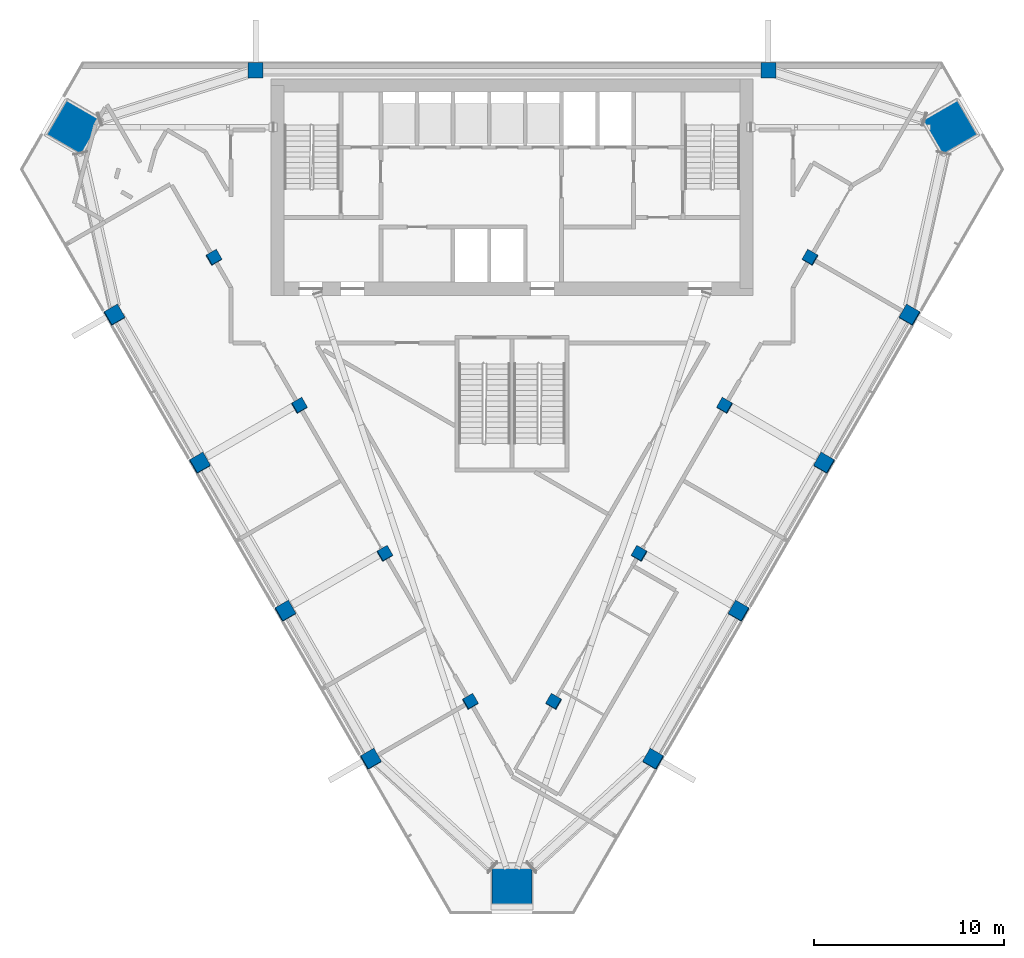
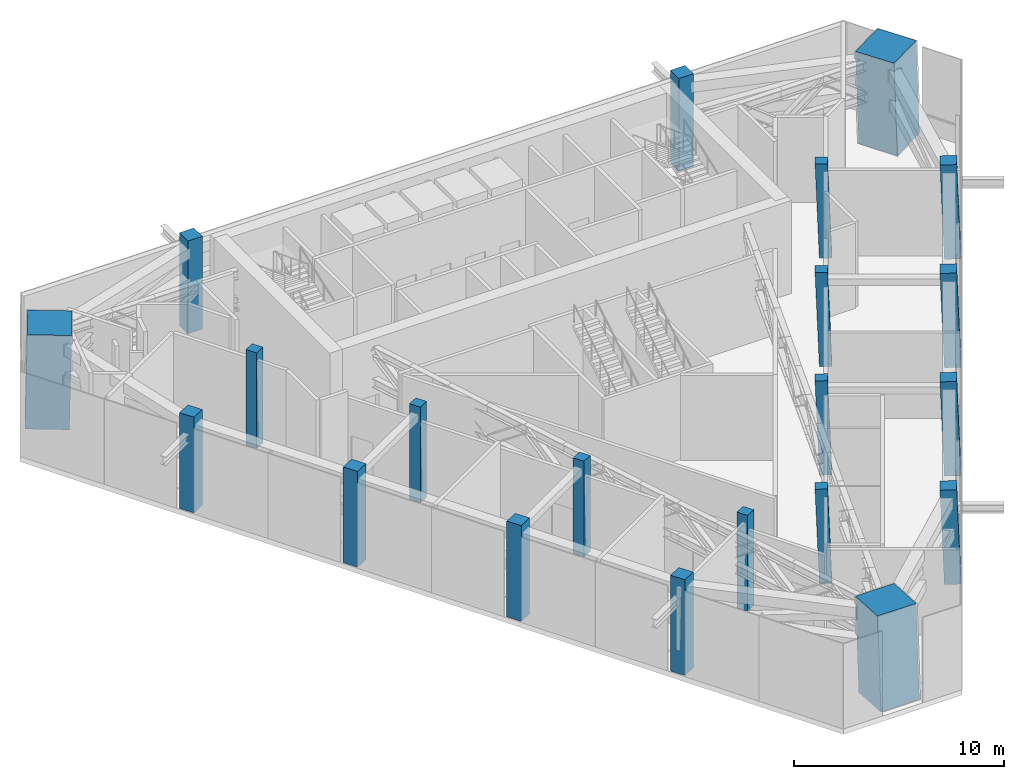
# One storey, part 1 of 14: 21 columns.
"""IFC4 building model written with IfcOpenShell, lengths in metres."""

from ifc_helpers import new_model, si_unit, direction, frame, origin, origin_2d, place, context, subcontext, project, spatial, rectangle, extrude, material, material_profile, profile_set, type_object, element, save


model = new_model("IFC4")

# Units and contexts
model_context = context("Model", 3, precision=1e-05, world=origin(), true_north=direction((0.0, 1.0)))
body_context = subcontext(model_context, "Body", "Model", "MODEL_VIEW")
ifc_project = project(units=[si_unit("LENGTHUNIT", "METRE"), si_unit("AREAUNIT", "SQUARE_METRE"), si_unit("VOLUMEUNIT", "CUBIC_METRE"), si_unit("PLANEANGLEUNIT", "RADIAN"), si_unit("MASSUNIT", "GRAM", prefix="KILO")], contexts=[model_context])

# Site, building, storey
site_placement = place(None, origin())
site = spatial("IfcSite", under=ifc_project, at=site_placement, CompositionType="ELEMENT")
building_placement = place(site_placement, origin())
building = spatial("IfcBuilding", under=site, at=building_placement, Name="Altiplano Prism Tower", CompositionType="ELEMENT")
storey_placement = place(building_placement, frame((0.0, 0.0, 189.0)))
storey = spatial("IfcBuildingStorey", under=building, at=storey_placement, Name="L49", CompositionType="ELEMENT", Elevation=189.0)

# Columns
ifc_material_1 = material(Name="Concrete C60/75", Category="concrete")
ifc_material_profile_1 = material_profile(ifc_material_1, rectangle(XDim=0.60009765625, YDim=0.60009765625, at=origin_2d()), Name="Inner column 600")
ifc_profile_set_1 = profile_set([ifc_material_profile_1], Name="Concrete C60/75")
column_type_1 = type_object("IfcColumnType", Name="Inner column 600", PredefinedType="COLUMN", material=ifc_profile_set_1)
for number, where, z_axis, x_axis, name in (
    (1, (69.291748046875, 94.67529296875, -0.018310546875), (0.022221387519, 0.03843577394, 0.999013964476), (-0.865893992281, -0.498747697823, 0.03844903183), "Inner column I11 L49"),
    (2, (73.791748046875, 86.881103515625, -0.018310546875), (0.022221387519, 0.03843577394, 0.999013964476), (-0.865893992281, -0.498747697823, 0.03844903183), "Inner column I12 L49"),
    (3, (78.291748046875, 79.086669921875, -0.018310546875), (0.02222134892, 0.038480872521, 0.999012229206), (-0.865641182169, -0.499183755173, 0.038482753336), "Inner column I13 L49"),
    (4, (82.791748046875, 71.29248046875, -0.018310546875), (0.022221387519, 0.03843577394, 0.999013964476), (-0.865895771563, -0.498744614827, 0.038448952793), "Inner column I14 L49"),
    (5, (87.208251953125, 71.29248046875, -0.018310546875), (-0.022221387519, 0.03843577394, 0.999013964476), (-0.499730650177, -0.865896356652, 0.022198576772), "Inner column I21 L49"),
    (6, (91.708251953125, 79.086669921875, -0.018310546875), (-0.02222134892, 0.038480872521, 0.999012229206), (-0.500171525964, -0.86564126578, 0.022218091581), "Inner column I22 L49"),
    (7, (96.208251953125, 86.881103515625, -0.018310546875), (-0.022221387519, 0.03843577394, 0.999013964476), (-0.499733733171, -0.86589458088, 0.022198439876), "Inner column I23 L49"),
    (8, (100.708251953125, 94.67529296875, -0.018310546875), (-0.022221387519, 0.03843577394, 0.999013964476), (-0.499733733171, -0.86589458088, 0.022198439876), "Inner column I24 L49"),
):
    element("IfcColumn", number, at=place(storey_placement, frame(where, z_axis=z_axis, x_axis=x_axis)), inside=storey, type_object=column_type_1, Name=name, PredefinedType="COLUMN", context=body_context, shape_type="SweptSolid", body=[
        extrude(rectangle(XDim=0.60009765625, YDim=0.60009765625, at=origin_2d()), origin(), (0.0, 0.0, 1.0), 5.405517578125),
    ])
ifc_material_2 = material(Name="Concrete C70/85", Category="concrete")
ifc_material_profile_2 = material_profile(ifc_material_2, rectangle(XDim=2.1201171875, YDim=2.1201171875, at=origin_2d()), Name="Mega column infill 2200")
ifc_profile_set_2 = profile_set([ifc_material_profile_2], Name="Concrete C70/85")
column_type_2 = type_object("IfcColumnType", Name="Mega column infill 2200", PredefinedType="COLUMN", material=ifc_profile_set_2)
column_1_placement = place(storey_placement, frame((61.85400390625, 101.519775390625, 0.0), z_axis=(0.028425675249, 0.009219137918, 0.999553394513), x_axis=(-0.865003058104, 0.501368833998, 0.019975028547)))
element("IfcColumn", 9, at=column_1_placement, inside=storey, type_object=column_type_2, Name="Mega column M0 L49", PredefinedType="COLUMN", context=body_context, shape_type="SweptSolid", body=[
    extrude(rectangle(XDim=2.1201171875, YDim=2.1201171875, at=origin_2d()), origin(), (0.0, 0.0, 1.0), 5.40234375),
])
column_2_placement = place(storey_placement, frame((85.0, 61.4296875, 0.0), z_axis=(0.0, 0.058359537448, 0.998295629755), x_axis=(-1.0, 0.0, 0.0)))
element("IfcColumn", 10, at=column_2_placement, inside=storey, type_object=column_type_2, Name="Mega column M1 L49", PredefinedType="COLUMN", context=body_context, shape_type="SweptSolid", body=[
    extrude(rectangle(XDim=2.1201171875, YDim=2.1201171875, at=origin_2d()), origin(), (0.0, 0.0, 1.0), 5.4091796875),
])
column_3_placement = place(storey_placement, frame((108.14599609375, 101.519775390625, 0.0), z_axis=(-0.028425675249, 0.009219137918, 0.999553394513), x_axis=(0.500959106695, -0.865185509225, 0.022226291798)))
element("IfcColumn", 11, at=column_3_placement, inside=storey, type_object=column_type_2, Name="Mega column M2 L49", PredefinedType="COLUMN", context=body_context, shape_type="SweptSolid", body=[
    extrude(rectangle(XDim=2.1201171875, YDim=2.1201171875, at=origin_2d()), origin(), (0.0, 0.0, 1.0), 5.40234375),
])
ifc_material_profile_3 = material_profile(ifc_material_1, rectangle(XDim=0.800048828125, YDim=0.800048828125, at=origin_2d()), Name="Perimeter column 800")
ifc_profile_set_3 = profile_set([ifc_material_profile_3], Name="Concrete C60/75")
column_type_3 = type_object("IfcColumnType", Name="Perimeter column 800", PredefinedType="COLUMN", material=ifc_profile_set_3)
for number, where, z_axis, x_axis, name in (
    (12, (98.5, 104.550048828125, 0.0), (0.0, 0.0, 1.0), (1.0, 0.0, 0.0), "Perimeter column P01 L49"),
    (13, (71.5, 104.550048828125, 0.0), (0.0, 0.0, 1.0), (1.0, 0.0, 0.0), "Perimeter column P04 L49"),
):
    element("IfcColumn", number, at=place(storey_placement, frame(where, z_axis=z_axis, x_axis=x_axis)), inside=storey, type_object=column_type_3, Name=name, PredefinedType="COLUMN", context=body_context, shape_type="SweptSolid", body=[
        extrude(rectangle(XDim=0.800048828125, YDim=0.800048828125, at=origin_2d()), origin(), (0.0, 0.0, 1.0), 5.39990234375),
    ])
for number, where, z_axis, x_axis, name in (
    (14, (64.052734375, 91.65087890625, 0.0), (0.02217724499, 0.038437546816, 0.999014877166), (-0.865454566324, -0.499511194308, 0.038431242356), "Perimeter column P11 L49"),
    (15, (68.552734375, 83.856689453125, 0.0), (0.02217724499, 0.038437546816, 0.999014877166), (-0.865454566324, -0.499511194308, 0.038431242356), "Perimeter column P12 L49"),
    (16, (73.052734375, 76.0625, 0.0), (0.02217724499, 0.038437546816, 0.999014877166), (-0.865456374528, -0.499508067564, 0.038431162193), "Perimeter column P13 L49"),
    (17, (77.552734375, 68.268310546875, 0.0), (0.02217724499, 0.038437546816, 0.999014877166), (-0.865456374528, -0.499508067564, 0.038431162193), "Perimeter column P14 L49"),
    (18, (92.447265625, 68.268310546875, 0.0), (-0.02217724499, 0.038437546816, 0.999014877166), (-0.500493190357, -0.865456090991, 0.022188307124), "Perimeter column P21 L49"),
    (19, (96.947265625, 76.0625, 0.0), (-0.02217724499, 0.038437546816, 0.999014877166), (-0.500493190357, -0.865456090991, 0.022188307124), "Perimeter column P22 L49"),
    (20, (101.447265625, 83.856689453125, 0.0), (-0.02217724499, 0.038437546816, 0.999014877166), (-0.500496317102, -0.865454286347, 0.022188168278), "Perimeter column P23 L49"),
    (21, (105.947265625, 91.65087890625, 0.0), (-0.02217724499, 0.038437546816, 0.999014877166), (-0.500496317102, -0.865454286347, 0.022188168278), "Perimeter column P24 L49"),
):
    element("IfcColumn", number, at=place(storey_placement, frame(where, z_axis=z_axis, x_axis=x_axis)), inside=storey, type_object=column_type_3, Name=name, PredefinedType="COLUMN", context=body_context, shape_type="SweptSolid", body=[
        extrude(rectangle(XDim=0.800048828125, YDim=0.800048828125, at=origin_2d()), origin(), (0.0, 0.0, 1.0), 5.4052734375),
    ])

save(model, "model.ifc")
